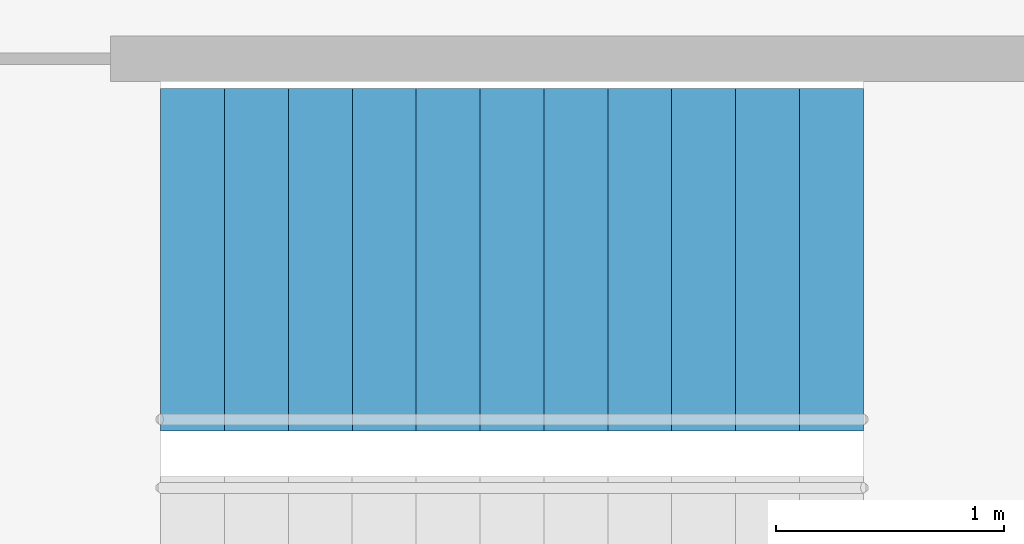
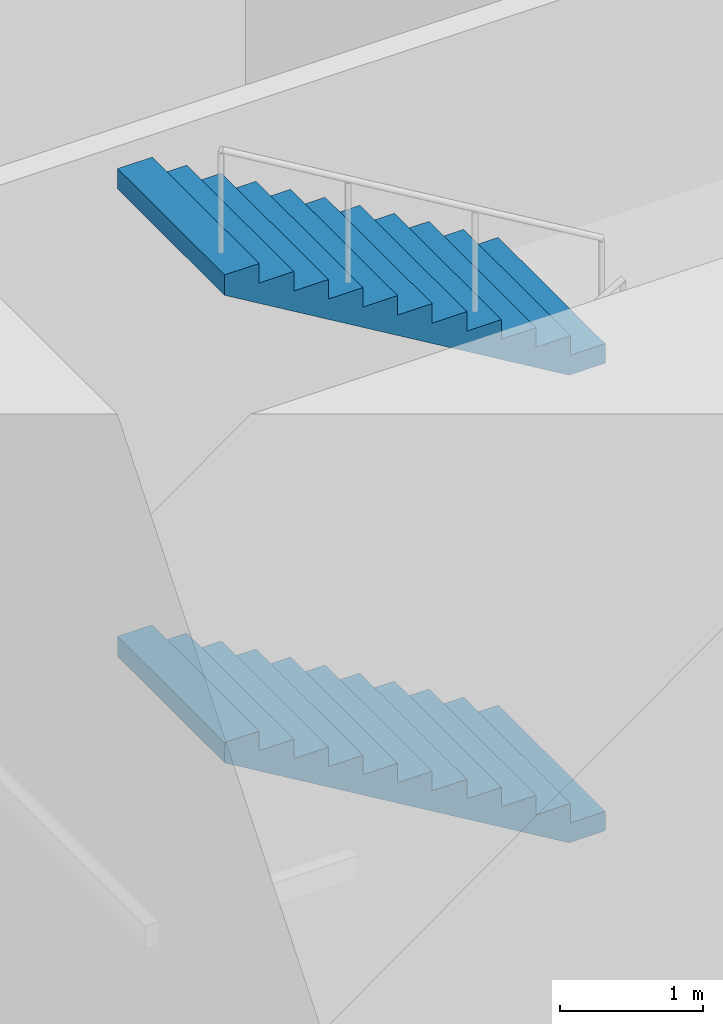
# One storey, part 31 of 74: 2 stair flights, 1 element without a shape of its own.
"""IFC4 building model written with IfcOpenShell, lengths in metres."""

from ifc_helpers import new_model, si_unit, direction, frame, origin, place, context, subcontext, project, spatial, triangles, material, type_object, element, aggregate, save


model = new_model("IFC4")

# Units and contexts
model_context = context("Model", 3, precision=1e-05, world=origin(), true_north=direction((0.0, 1.0)))
body_context = subcontext(model_context, "Body", "Model", "MODEL_VIEW")
ifc_project = project(units=[si_unit("LENGTHUNIT", "METRE"), si_unit("AREAUNIT", "SQUARE_METRE"), si_unit("VOLUMEUNIT", "CUBIC_METRE"), si_unit("PLANEANGLEUNIT", "RADIAN"), si_unit("MASSUNIT", "GRAM", prefix="KILO")], contexts=[model_context])

# Site, building, storey
site_placement = place(None, origin())
site = spatial("IfcSite", under=ifc_project, at=site_placement, CompositionType="ELEMENT")
building_placement = place(site_placement, origin())
building = spatial("IfcBuilding", under=site, at=building_placement, Name="Lantaw Convention Tower", CompositionType="ELEMENT")
storey_placement = place(building_placement, frame((0.0, 0.0, 6.5)))
storey = spatial("IfcBuildingStorey", under=building, at=storey_placement, Name="L01", CompositionType="ELEMENT", Elevation=6.5)

# Stair, stair flights
ifc_material = material(Name="Concrete C35/45", Category="concrete")
stair_type = type_object("IfcStairType", Name="Exit stair 1500 riser 166.67 in 4 flights", PredefinedType="HALF_TURN_STAIR", material=ifc_material)
stair_placement = place(storey_placement, origin())
stair = element("IfcStair", 1, at=stair_placement, inside=storey, type_object=stair_type, Name="Exit stair S1 L01", PredefinedType="HALF_TURN_STAIR")
stair_flight_type = type_object("IfcStairFlightType", Name="Stair flight 1500 riser 166.67", PredefinedType="STRAIGHT", material=ifc_material)
stair_flight_1_placement = place(storey_placement, frame((-7.5, -4.280029296875, 2.0), z_axis=(0.0, 0.0, 1.0), x_axis=(-1.0, 0.0, 0.0)))
stair_flight_1 = element("IfcStairFlight", 2, at=stair_flight_1_placement, type_object=stair_flight_type, Name="S1 flight 2", NumberOfRisers=12, NumberOfTreads=11, PredefinedType="STRAIGHT", RiserHeight=0.166666667, TreadLength=0.28, context=body_context, shape_type="Tessellation", body=[
    triangles([(0.0, 0.75, 0.0), (0.0, 0.75, 0.166666667), (0.28, 0.75, 0.0), (0.28, 0.75, 0.166666667), (0.28, 0.75, 0.333333334), (0.29307345806906726, 0.75, 0.0), (0.29307345806906726, 0.75, 0.333333334), (0.56, 0.75, 0.15888484670522965), (0.56, 0.75, 0.333333334), (0.56, 0.75, 0.500000001), (0.8400000000000001, 0.75, 0.3255515137052296), (0.8400000000000001, 0.75, 0.500000001), (0.8400000000000001, 0.75, 0.666666668), (1.12, 0.75, 0.4922181807052296), (1.12, 0.75, 0.666666668), (1.12, 0.75, 0.833333335), (1.4000000000000001, 0.75, 0.6588848477052296), (1.4000000000000001, 0.75, 0.833333335), (1.4000000000000001, 0.75, 1.000000002), (1.6800000000000002, 0.75, 0.8255515147052296), (1.6800000000000002, 0.75, 1.000000002), (1.6800000000000002, 0.75, 1.166666669), (1.9600000000000002, 0.75, 0.9922181817052296), (1.9600000000000002, 0.75, 1.166666669), (1.9600000000000002, 0.75, 1.333333336), (2.24, 0.75, 1.1588848487052295), (2.24, 0.75, 1.333333336), (2.24, 0.75, 1.5000000029999998), (2.5200000000000005, 0.75, 1.3255515157052296), (2.5200000000000005, 0.75, 1.5000000029999998), (2.5200000000000005, 0.75, 1.66666667), (2.8000000000000003, 0.75, 1.4922181827052294), (2.8000000000000003, 0.75, 1.66666667), (2.8000000000000003, 0.75, 1.833333337), (3.08, 0.75, 1.6588848497052293), (3.08, 0.75, 1.833333337), (0.0, -0.75, 0.0), (0.0, -0.75, 0.166666667), (0.28, -0.75, 0.0), (0.28, -0.75, 0.166666667), (0.28, -0.75, 0.333333334), (0.29307345806906726, -0.75, 0.0), (0.29307345806906726, -0.75, 0.333333334), (0.56, -0.75, 0.15888484670522965), (0.56, -0.75, 0.333333334), (0.56, -0.75, 0.500000001), (0.8400000000000001, -0.75, 0.3255515137052296), (0.8400000000000001, -0.75, 0.500000001), (0.8400000000000001, -0.75, 0.666666668), (1.12, -0.75, 0.4922181807052296), (1.12, -0.75, 0.666666668), (1.12, -0.75, 0.833333335), (1.4000000000000001, -0.75, 0.6588848477052296), (1.4000000000000001, -0.75, 0.833333335), (1.4000000000000001, -0.75, 1.000000002), (1.6800000000000002, -0.75, 0.8255515147052296), (1.6800000000000002, -0.75, 1.000000002), (1.6800000000000002, -0.75, 1.166666669), (1.9600000000000002, -0.75, 0.9922181817052296), (1.9600000000000002, -0.75, 1.166666669), (1.9600000000000002, -0.75, 1.333333336), (2.24, -0.75, 1.1588848487052295), (2.24, -0.75, 1.333333336), (2.24, -0.75, 1.5000000029999998), (2.5200000000000005, -0.75, 1.3255515157052296), (2.5200000000000005, -0.75, 1.5000000029999998), (2.5200000000000005, -0.75, 1.66666667), (2.8000000000000003, -0.75, 1.4922181827052294), (2.8000000000000003, -0.75, 1.66666667), (2.8000000000000003, -0.75, 1.833333337), (3.08, -0.75, 1.6588848497052293), (3.08, -0.75, 1.833333337), (0.0, 0.15000000000000002, 0.166666667), (0.0, 0.15000000000000002, 0.0), (0.0, 0.0, 0.166666667), (0.0, 0.0, 0.0), (0.0, -0.15000000000000002, 0.166666667), (0.0, -0.15000000000000002, 0.0), (0.28, 0.15000000000000002, 0.333333334), (0.28, 0.15000000000000002, 0.166666667), (0.28, 0.0, 0.333333334), (0.28, 0.0, 0.166666667), (0.28, -0.15000000000000002, 0.333333334), (0.28, -0.15000000000000002, 0.166666667), (0.56, 0.15000000000000002, 0.500000001), (0.56, 0.15000000000000002, 0.333333334), (0.56, 0.0, 0.500000001), (0.56, 0.0, 0.333333334), (0.56, -0.15000000000000002, 0.500000001), (0.56, -0.15000000000000002, 0.333333334), (0.8400000000000001, 0.15000000000000002, 0.666666668), (0.8400000000000001, 0.15000000000000002, 0.500000001), (0.8400000000000001, 0.0, 0.666666668), (0.8400000000000001, 0.0, 0.500000001), (0.8400000000000001, -0.15000000000000002, 0.666666668), (0.8400000000000001, -0.15000000000000002, 0.500000001), (1.12, 0.15000000000000002, 0.833333335), (1.12, 0.15000000000000002, 0.666666668), (1.12, 0.0, 0.833333335), (1.12, 0.0, 0.666666668), (1.12, -0.15000000000000002, 0.833333335), (1.12, -0.15000000000000002, 0.666666668), (1.4000000000000001, 0.15000000000000002, 1.000000002), (1.4000000000000001, 0.15000000000000002, 0.833333335), (1.4000000000000001, 0.0, 1.000000002), (1.4000000000000001, 0.0, 0.833333335), (1.4000000000000001, -0.15000000000000002, 1.000000002), (1.4000000000000001, -0.15000000000000002, 0.833333335), (1.6800000000000002, 0.15000000000000002, 1.166666669), (1.6800000000000002, 0.15000000000000002, 1.000000002), (1.6800000000000002, 0.0, 1.166666669), (1.6800000000000002, 0.0, 1.000000002), (1.6800000000000002, -0.15000000000000002, 1.166666669), (1.6800000000000002, -0.15000000000000002, 1.000000002), (1.9600000000000002, 0.15000000000000002, 1.333333336), (1.9600000000000002, 0.15000000000000002, 1.166666669), (1.9600000000000002, 0.0, 1.333333336), (1.9600000000000002, 0.0, 1.166666669), (1.9600000000000002, -0.15000000000000002, 1.333333336), (1.9600000000000002, -0.15000000000000002, 1.166666669), (2.24, 0.15000000000000002, 1.5000000029999998), (2.24, 0.15000000000000002, 1.333333336), (2.24, 0.0, 1.5000000029999998), (2.24, 0.0, 1.333333336), (2.24, -0.15000000000000002, 1.5000000029999998), (2.24, -0.15000000000000002, 1.333333336), (2.5200000000000005, 0.15000000000000002, 1.66666667), (2.5200000000000005, 0.15000000000000002, 1.5000000029999998), (2.5200000000000005, 0.0, 1.66666667), (2.5200000000000005, 0.0, 1.5000000029999998), (2.5200000000000005, -0.15000000000000002, 1.66666667), (2.5200000000000005, -0.15000000000000002, 1.5000000029999998), (2.8000000000000003, 0.15000000000000002, 1.833333337), (2.8000000000000003, 0.15000000000000002, 1.66666667), (2.8000000000000003, 0.0, 1.833333337), (2.8000000000000003, 0.0, 1.66666667), (2.8000000000000003, -0.15000000000000002, 1.833333337), (2.8000000000000003, -0.15000000000000002, 1.66666667), (0.29307345806906726, 0.15000000000000002, 0.333333334), (0.29307345806906726, 0.0, 0.333333334), (0.29307345806906726, -0.15000000000000002, 0.333333334), (3.08, 0.15000000000000002, 1.833333337), (3.08, 0.0, 1.833333337), (3.08, -0.15000000000000002, 1.833333337), (3.08, 0.15000000000000002, 1.6588848497052293), (3.08, 0.0, 1.6588848497052293), (3.08, -0.15000000000000002, 1.6588848497052293), (2.8000000000000003, 0.15000000000000002, 1.4922181827052294), (2.8000000000000003, 0.0, 1.4922181827052294), (2.8000000000000003, -0.15000000000000002, 1.4922181827052294), (2.5200000000000005, 0.15000000000000002, 1.3255515157052296), (2.5200000000000005, 0.0, 1.3255515157052296), (2.5200000000000005, -0.15000000000000002, 1.3255515157052296), (2.24, 0.15000000000000002, 1.1588848487052295), (2.24, 0.0, 1.1588848487052295), (2.24, -0.15000000000000002, 1.1588848487052295), (1.9600000000000002, 0.15000000000000002, 0.9922181817052296), (1.9600000000000002, 0.0, 0.9922181817052296), (1.9600000000000002, -0.15000000000000002, 0.9922181817052296), (1.6800000000000002, 0.15000000000000002, 0.8255515147052296), (1.6800000000000002, 0.0, 0.8255515147052296), (1.6800000000000002, -0.15000000000000002, 0.8255515147052296), (1.4000000000000001, 0.15000000000000002, 0.6588848477052296), (1.4000000000000001, 0.0, 0.6588848477052296), (1.4000000000000001, -0.15000000000000002, 0.6588848477052296), (1.12, 0.15000000000000002, 0.4922181807052296), (1.12, 0.0, 0.4922181807052296), (1.12, -0.15000000000000002, 0.4922181807052296), (0.8400000000000001, 0.15000000000000002, 0.3255515137052296), (0.8400000000000001, 0.0, 0.3255515137052296), (0.8400000000000001, -0.15000000000000002, 0.3255515137052296), (0.56, 0.15000000000000002, 0.15888484670522965), (0.56, 0.0, 0.15888484670522965), (0.56, -0.15000000000000002, 0.15888484670522965), (0.29307345806906726, 0.15000000000000002, 0.0), (0.29307345806906726, 0.0, 0.0), (0.29307345806906726, -0.15000000000000002, 0.0), (0.28, 0.15000000000000002, 0.0), (0.28, 0.0, 0.0), (0.28, -0.15000000000000002, 0.0)], [[1, 4, 3], [1, 2, 4], [3, 4, 6], [4, 7, 6], [4, 5, 7], [6, 9, 8], [6, 7, 9], [8, 9, 11], [9, 12, 11], [9, 10, 12], [11, 12, 14], [12, 15, 14], [12, 13, 15], [14, 15, 17], [15, 18, 17], [15, 16, 18], [17, 18, 20], [18, 21, 20], [18, 19, 21], [20, 21, 23], [21, 24, 23], [21, 22, 24], [23, 24, 26], [24, 27, 26], [24, 25, 27], [26, 27, 29], [27, 30, 29], [27, 28, 30], [29, 30, 32], [30, 33, 32], [30, 31, 33], [32, 33, 35], [33, 36, 35], [33, 34, 36], [37, 39, 40], [37, 40, 38], [39, 42, 40], [40, 42, 43], [40, 43, 41], [42, 44, 45], [42, 45, 43], [44, 47, 45], [45, 47, 48], [45, 48, 46], [47, 50, 48], [48, 50, 51], [48, 51, 49], [50, 53, 51], [51, 53, 54], [51, 54, 52], [53, 56, 54], [54, 56, 57], [54, 57, 55], [56, 59, 57], [57, 59, 60], [57, 60, 58], [59, 62, 60], [60, 62, 63], [60, 63, 61], [62, 65, 63], [63, 65, 66], [63, 66, 64], [65, 68, 66], [66, 68, 69], [66, 69, 67], [68, 71, 69], [69, 71, 72], [69, 72, 70], [1, 73, 2], [1, 74, 73], [74, 75, 73], [74, 76, 75], [76, 77, 75], [76, 78, 77], [78, 38, 77], [78, 37, 38], [4, 79, 5], [4, 80, 79], [80, 81, 79], [80, 82, 81], [82, 83, 81], [82, 84, 83], [84, 41, 83], [84, 40, 41], [9, 85, 10], [9, 86, 85], [86, 87, 85], [86, 88, 87], [88, 89, 87], [88, 90, 89], [90, 46, 89], [90, 45, 46], [12, 91, 13], [12, 92, 91], [92, 93, 91], [92, 94, 93], [94, 95, 93], [94, 96, 95], [96, 49, 95], [96, 48, 49], [15, 97, 16], [15, 98, 97], [98, 99, 97], [98, 100, 99], [100, 101, 99], [100, 102, 101], [102, 52, 101], [102, 51, 52], [18, 103, 19], [18, 104, 103], [104, 105, 103], [104, 106, 105], [106, 107, 105], [106, 108, 107], [108, 55, 107], [108, 54, 55], [21, 109, 22], [21, 110, 109], [110, 111, 109], [110, 112, 111], [112, 113, 111], [112, 114, 113], [114, 58, 113], [114, 57, 58], [24, 115, 25], [24, 116, 115], [116, 117, 115], [116, 118, 117], [118, 119, 117], [118, 120, 119], [120, 61, 119], [120, 60, 61], [27, 121, 28], [27, 122, 121], [122, 123, 121], [122, 124, 123], [124, 125, 123], [124, 126, 125], [126, 64, 125], [126, 63, 64], [30, 127, 31], [30, 128, 127], [128, 129, 127], [128, 130, 129], [130, 131, 129], [130, 132, 131], [132, 67, 131], [132, 66, 67], [33, 133, 34], [33, 134, 133], [134, 135, 133], [134, 136, 135], [136, 137, 135], [136, 138, 137], [138, 70, 137], [138, 69, 70], [2, 80, 4], [2, 73, 80], [73, 82, 80], [73, 75, 82], [75, 84, 82], [75, 77, 84], [77, 40, 84], [77, 38, 40], [5, 139, 7], [5, 79, 139], [79, 140, 139], [79, 81, 140], [81, 141, 140], [81, 83, 141], [83, 43, 141], [83, 41, 43], [7, 86, 9], [7, 139, 86], [139, 88, 86], [139, 140, 88], [140, 90, 88], [140, 141, 90], [141, 45, 90], [141, 43, 45], [10, 92, 12], [10, 85, 92], [85, 94, 92], [85, 87, 94], [87, 96, 94], [87, 89, 96], [89, 48, 96], [89, 46, 48], [13, 98, 15], [13, 91, 98], [91, 100, 98], [91, 93, 100], [93, 102, 100], [93, 95, 102], [95, 51, 102], [95, 49, 51], [16, 104, 18], [16, 97, 104], [97, 106, 104], [97, 99, 106], [99, 108, 106], [99, 101, 108], [101, 54, 108], [101, 52, 54], [19, 110, 21], [19, 103, 110], [103, 112, 110], [103, 105, 112], [105, 114, 112], [105, 107, 114], [107, 57, 114], [107, 55, 57], [22, 116, 24], [22, 109, 116], [109, 118, 116], [109, 111, 118], [111, 120, 118], [111, 113, 120], [113, 60, 120], [113, 58, 60], [25, 122, 27], [25, 115, 122], [115, 124, 122], [115, 117, 124], [117, 126, 124], [117, 119, 126], [119, 63, 126], [119, 61, 63], [28, 128, 30], [28, 121, 128], [121, 130, 128], [121, 123, 130], [123, 132, 130], [123, 125, 132], [125, 66, 132], [125, 64, 66], [31, 134, 33], [31, 127, 134], [127, 136, 134], [127, 129, 136], [129, 138, 136], [129, 131, 138], [131, 69, 138], [131, 67, 69], [34, 142, 36], [34, 133, 142], [133, 143, 142], [133, 135, 143], [135, 144, 143], [135, 137, 144], [137, 72, 144], [137, 70, 72], [36, 145, 35], [36, 142, 145], [142, 146, 145], [142, 143, 146], [143, 147, 146], [143, 144, 147], [144, 71, 147], [144, 72, 71], [35, 148, 32], [35, 145, 148], [145, 149, 148], [145, 146, 149], [146, 150, 149], [146, 147, 150], [147, 68, 150], [147, 71, 68], [32, 151, 29], [32, 148, 151], [148, 152, 151], [148, 149, 152], [149, 153, 152], [149, 150, 153], [150, 65, 153], [150, 68, 65], [29, 154, 26], [29, 151, 154], [151, 155, 154], [151, 152, 155], [152, 156, 155], [152, 153, 156], [153, 62, 156], [153, 65, 62], [26, 157, 23], [26, 154, 157], [154, 158, 157], [154, 155, 158], [155, 159, 158], [155, 156, 159], [156, 59, 159], [156, 62, 59], [23, 160, 20], [23, 157, 160], [157, 161, 160], [157, 158, 161], [158, 162, 161], [158, 159, 162], [159, 56, 162], [159, 59, 56], [20, 163, 17], [20, 160, 163], [160, 164, 163], [160, 161, 164], [161, 165, 164], [161, 162, 165], [162, 53, 165], [162, 56, 53], [17, 166, 14], [17, 163, 166], [163, 167, 166], [163, 164, 167], [164, 168, 167], [164, 165, 168], [165, 50, 168], [165, 53, 50], [14, 169, 11], [14, 166, 169], [166, 170, 169], [166, 167, 170], [167, 171, 170], [167, 168, 171], [168, 47, 171], [168, 50, 47], [11, 172, 8], [11, 169, 172], [169, 173, 172], [169, 170, 173], [170, 174, 173], [170, 171, 174], [171, 44, 174], [171, 47, 44], [8, 175, 6], [8, 172, 175], [172, 176, 175], [172, 173, 176], [173, 177, 176], [173, 174, 177], [174, 42, 177], [174, 44, 42], [6, 178, 3], [6, 175, 178], [175, 179, 178], [175, 176, 179], [176, 180, 179], [176, 177, 180], [177, 39, 180], [177, 42, 39], [3, 74, 1], [3, 178, 74], [178, 76, 74], [178, 179, 76], [179, 78, 76], [179, 180, 78], [180, 37, 78], [180, 39, 37]], closed=True),
])
stair_flight_2_placement = place(storey_placement, frame((-7.5, -4.280029296875, 6.0), z_axis=(0.0, 0.0, 1.0), x_axis=(-1.0, 0.0, 0.0)))
stair_flight_2 = element("IfcStairFlight", 3, at=stair_flight_2_placement, type_object=stair_flight_type, Name="S1 flight 4", NumberOfRisers=12, NumberOfTreads=11, PredefinedType="STRAIGHT", RiserHeight=0.166666667, TreadLength=0.28, context=body_context, shape_type="Tessellation", body=[
    triangles([(0.0, 0.75, 0.0), (0.0, 0.75, 0.166666667), (0.28, 0.75, 0.0), (0.28, 0.75, 0.166666667), (0.28, 0.75, 0.333333334), (0.29307345806906726, 0.75, 0.0), (0.29307345806906726, 0.75, 0.333333334), (0.56, 0.75, 0.15888484670522965), (0.56, 0.75, 0.333333334), (0.56, 0.75, 0.500000001), (0.8400000000000001, 0.75, 0.3255515137052296), (0.8400000000000001, 0.75, 0.500000001), (0.8400000000000001, 0.75, 0.666666668), (1.12, 0.75, 0.4922181807052296), (1.12, 0.75, 0.666666668), (1.12, 0.75, 0.833333335), (1.4000000000000001, 0.75, 0.6588848477052296), (1.4000000000000001, 0.75, 0.833333335), (1.4000000000000001, 0.75, 1.000000002), (1.6800000000000002, 0.75, 0.8255515147052296), (1.6800000000000002, 0.75, 1.000000002), (1.6800000000000002, 0.75, 1.166666669), (1.9600000000000002, 0.75, 0.9922181817052296), (1.9600000000000002, 0.75, 1.166666669), (1.9600000000000002, 0.75, 1.333333336), (2.24, 0.75, 1.1588848487052295), (2.24, 0.75, 1.333333336), (2.24, 0.75, 1.5000000029999998), (2.5200000000000005, 0.75, 1.3255515157052296), (2.5200000000000005, 0.75, 1.5000000029999998), (2.5200000000000005, 0.75, 1.66666667), (2.8000000000000003, 0.75, 1.4922181827052294), (2.8000000000000003, 0.75, 1.66666667), (2.8000000000000003, 0.75, 1.833333337), (3.08, 0.75, 1.6588848497052293), (3.08, 0.75, 1.833333337), (0.0, -0.75, 0.0), (0.0, -0.75, 0.166666667), (0.28, -0.75, 0.0), (0.28, -0.75, 0.166666667), (0.28, -0.75, 0.333333334), (0.29307345806906726, -0.75, 0.0), (0.29307345806906726, -0.75, 0.333333334), (0.56, -0.75, 0.15888484670522965), (0.56, -0.75, 0.333333334), (0.56, -0.75, 0.500000001), (0.8400000000000001, -0.75, 0.3255515137052296), (0.8400000000000001, -0.75, 0.500000001), (0.8400000000000001, -0.75, 0.666666668), (1.12, -0.75, 0.4922181807052296), (1.12, -0.75, 0.666666668), (1.12, -0.75, 0.833333335), (1.4000000000000001, -0.75, 0.6588848477052296), (1.4000000000000001, -0.75, 0.833333335), (1.4000000000000001, -0.75, 1.000000002), (1.6800000000000002, -0.75, 0.8255515147052296), (1.6800000000000002, -0.75, 1.000000002), (1.6800000000000002, -0.75, 1.166666669), (1.9600000000000002, -0.75, 0.9922181817052296), (1.9600000000000002, -0.75, 1.166666669), (1.9600000000000002, -0.75, 1.333333336), (2.24, -0.75, 1.1588848487052295), (2.24, -0.75, 1.333333336), (2.24, -0.75, 1.5000000029999998), (2.5200000000000005, -0.75, 1.3255515157052296), (2.5200000000000005, -0.75, 1.5000000029999998), (2.5200000000000005, -0.75, 1.66666667), (2.8000000000000003, -0.75, 1.4922181827052294), (2.8000000000000003, -0.75, 1.66666667), (2.8000000000000003, -0.75, 1.833333337), (3.08, -0.75, 1.6588848497052293), (3.08, -0.75, 1.833333337), (0.0, 0.15000000000000002, 0.166666667), (0.0, 0.15000000000000002, 0.0), (0.0, 0.0, 0.166666667), (0.0, 0.0, 0.0), (0.0, -0.15000000000000002, 0.166666667), (0.0, -0.15000000000000002, 0.0), (0.28, 0.15000000000000002, 0.333333334), (0.28, 0.15000000000000002, 0.166666667), (0.28, 0.0, 0.333333334), (0.28, 0.0, 0.166666667), (0.28, -0.15000000000000002, 0.333333334), (0.28, -0.15000000000000002, 0.166666667), (0.56, 0.15000000000000002, 0.500000001), (0.56, 0.15000000000000002, 0.333333334), (0.56, 0.0, 0.500000001), (0.56, 0.0, 0.333333334), (0.56, -0.15000000000000002, 0.500000001), (0.56, -0.15000000000000002, 0.333333334), (0.8400000000000001, 0.15000000000000002, 0.666666668), (0.8400000000000001, 0.15000000000000002, 0.500000001), (0.8400000000000001, 0.0, 0.666666668), (0.8400000000000001, 0.0, 0.500000001), (0.8400000000000001, -0.15000000000000002, 0.666666668), (0.8400000000000001, -0.15000000000000002, 0.500000001), (1.12, 0.15000000000000002, 0.833333335), (1.12, 0.15000000000000002, 0.666666668), (1.12, 0.0, 0.833333335), (1.12, 0.0, 0.666666668), (1.12, -0.15000000000000002, 0.833333335), (1.12, -0.15000000000000002, 0.666666668), (1.4000000000000001, 0.15000000000000002, 1.000000002), (1.4000000000000001, 0.15000000000000002, 0.833333335), (1.4000000000000001, 0.0, 1.000000002), (1.4000000000000001, 0.0, 0.833333335), (1.4000000000000001, -0.15000000000000002, 1.000000002), (1.4000000000000001, -0.15000000000000002, 0.833333335), (1.6800000000000002, 0.15000000000000002, 1.166666669), (1.6800000000000002, 0.15000000000000002, 1.000000002), (1.6800000000000002, 0.0, 1.166666669), (1.6800000000000002, 0.0, 1.000000002), (1.6800000000000002, -0.15000000000000002, 1.166666669), (1.6800000000000002, -0.15000000000000002, 1.000000002), (1.9600000000000002, 0.15000000000000002, 1.333333336), (1.9600000000000002, 0.15000000000000002, 1.166666669), (1.9600000000000002, 0.0, 1.333333336), (1.9600000000000002, 0.0, 1.166666669), (1.9600000000000002, -0.15000000000000002, 1.333333336), (1.9600000000000002, -0.15000000000000002, 1.166666669), (2.24, 0.15000000000000002, 1.5000000029999998), (2.24, 0.15000000000000002, 1.333333336), (2.24, 0.0, 1.5000000029999998), (2.24, 0.0, 1.333333336), (2.24, -0.15000000000000002, 1.5000000029999998), (2.24, -0.15000000000000002, 1.333333336), (2.5200000000000005, 0.15000000000000002, 1.66666667), (2.5200000000000005, 0.15000000000000002, 1.5000000029999998), (2.5200000000000005, 0.0, 1.66666667), (2.5200000000000005, 0.0, 1.5000000029999998), (2.5200000000000005, -0.15000000000000002, 1.66666667), (2.5200000000000005, -0.15000000000000002, 1.5000000029999998), (2.8000000000000003, 0.15000000000000002, 1.833333337), (2.8000000000000003, 0.15000000000000002, 1.66666667), (2.8000000000000003, 0.0, 1.833333337), (2.8000000000000003, 0.0, 1.66666667), (2.8000000000000003, -0.15000000000000002, 1.833333337), (2.8000000000000003, -0.15000000000000002, 1.66666667), (0.29307345806906726, 0.15000000000000002, 0.333333334), (0.29307345806906726, 0.0, 0.333333334), (0.29307345806906726, -0.15000000000000002, 0.333333334), (3.08, 0.15000000000000002, 1.833333337), (3.08, 0.0, 1.833333337), (3.08, -0.15000000000000002, 1.833333337), (3.08, 0.15000000000000002, 1.6588848497052293), (3.08, 0.0, 1.6588848497052293), (3.08, -0.15000000000000002, 1.6588848497052293), (2.8000000000000003, 0.15000000000000002, 1.4922181827052294), (2.8000000000000003, 0.0, 1.4922181827052294), (2.8000000000000003, -0.15000000000000002, 1.4922181827052294), (2.5200000000000005, 0.15000000000000002, 1.3255515157052296), (2.5200000000000005, 0.0, 1.3255515157052296), (2.5200000000000005, -0.15000000000000002, 1.3255515157052296), (2.24, 0.15000000000000002, 1.1588848487052295), (2.24, 0.0, 1.1588848487052295), (2.24, -0.15000000000000002, 1.1588848487052295), (1.9600000000000002, 0.15000000000000002, 0.9922181817052296), (1.9600000000000002, 0.0, 0.9922181817052296), (1.9600000000000002, -0.15000000000000002, 0.9922181817052296), (1.6800000000000002, 0.15000000000000002, 0.8255515147052296), (1.6800000000000002, 0.0, 0.8255515147052296), (1.6800000000000002, -0.15000000000000002, 0.8255515147052296), (1.4000000000000001, 0.15000000000000002, 0.6588848477052296), (1.4000000000000001, 0.0, 0.6588848477052296), (1.4000000000000001, -0.15000000000000002, 0.6588848477052296), (1.12, 0.15000000000000002, 0.4922181807052296), (1.12, 0.0, 0.4922181807052296), (1.12, -0.15000000000000002, 0.4922181807052296), (0.8400000000000001, 0.15000000000000002, 0.3255515137052296), (0.8400000000000001, 0.0, 0.3255515137052296), (0.8400000000000001, -0.15000000000000002, 0.3255515137052296), (0.56, 0.15000000000000002, 0.15888484670522965), (0.56, 0.0, 0.15888484670522965), (0.56, -0.15000000000000002, 0.15888484670522965), (0.29307345806906726, 0.15000000000000002, 0.0), (0.29307345806906726, 0.0, 0.0), (0.29307345806906726, -0.15000000000000002, 0.0), (0.28, 0.15000000000000002, 0.0), (0.28, 0.0, 0.0), (0.28, -0.15000000000000002, 0.0)], [[1, 4, 3], [1, 2, 4], [3, 4, 6], [4, 7, 6], [4, 5, 7], [6, 9, 8], [6, 7, 9], [8, 9, 11], [9, 12, 11], [9, 10, 12], [11, 12, 14], [12, 15, 14], [12, 13, 15], [14, 15, 17], [15, 18, 17], [15, 16, 18], [17, 18, 20], [18, 21, 20], [18, 19, 21], [20, 21, 23], [21, 24, 23], [21, 22, 24], [23, 24, 26], [24, 27, 26], [24, 25, 27], [26, 27, 29], [27, 30, 29], [27, 28, 30], [29, 30, 32], [30, 33, 32], [30, 31, 33], [32, 33, 35], [33, 36, 35], [33, 34, 36], [37, 39, 40], [37, 40, 38], [39, 42, 40], [40, 42, 43], [40, 43, 41], [42, 44, 45], [42, 45, 43], [44, 47, 45], [45, 47, 48], [45, 48, 46], [47, 50, 48], [48, 50, 51], [48, 51, 49], [50, 53, 51], [51, 53, 54], [51, 54, 52], [53, 56, 54], [54, 56, 57], [54, 57, 55], [56, 59, 57], [57, 59, 60], [57, 60, 58], [59, 62, 60], [60, 62, 63], [60, 63, 61], [62, 65, 63], [63, 65, 66], [63, 66, 64], [65, 68, 66], [66, 68, 69], [66, 69, 67], [68, 71, 69], [69, 71, 72], [69, 72, 70], [1, 73, 2], [1, 74, 73], [74, 75, 73], [74, 76, 75], [76, 77, 75], [76, 78, 77], [78, 38, 77], [78, 37, 38], [4, 79, 5], [4, 80, 79], [80, 81, 79], [80, 82, 81], [82, 83, 81], [82, 84, 83], [84, 41, 83], [84, 40, 41], [9, 85, 10], [9, 86, 85], [86, 87, 85], [86, 88, 87], [88, 89, 87], [88, 90, 89], [90, 46, 89], [90, 45, 46], [12, 91, 13], [12, 92, 91], [92, 93, 91], [92, 94, 93], [94, 95, 93], [94, 96, 95], [96, 49, 95], [96, 48, 49], [15, 97, 16], [15, 98, 97], [98, 99, 97], [98, 100, 99], [100, 101, 99], [100, 102, 101], [102, 52, 101], [102, 51, 52], [18, 103, 19], [18, 104, 103], [104, 105, 103], [104, 106, 105], [106, 107, 105], [106, 108, 107], [108, 55, 107], [108, 54, 55], [21, 109, 22], [21, 110, 109], [110, 111, 109], [110, 112, 111], [112, 113, 111], [112, 114, 113], [114, 58, 113], [114, 57, 58], [24, 115, 25], [24, 116, 115], [116, 117, 115], [116, 118, 117], [118, 119, 117], [118, 120, 119], [120, 61, 119], [120, 60, 61], [27, 121, 28], [27, 122, 121], [122, 123, 121], [122, 124, 123], [124, 125, 123], [124, 126, 125], [126, 64, 125], [126, 63, 64], [30, 127, 31], [30, 128, 127], [128, 129, 127], [128, 130, 129], [130, 131, 129], [130, 132, 131], [132, 67, 131], [132, 66, 67], [33, 133, 34], [33, 134, 133], [134, 135, 133], [134, 136, 135], [136, 137, 135], [136, 138, 137], [138, 70, 137], [138, 69, 70], [2, 80, 4], [2, 73, 80], [73, 82, 80], [73, 75, 82], [75, 84, 82], [75, 77, 84], [77, 40, 84], [77, 38, 40], [5, 139, 7], [5, 79, 139], [79, 140, 139], [79, 81, 140], [81, 141, 140], [81, 83, 141], [83, 43, 141], [83, 41, 43], [7, 86, 9], [7, 139, 86], [139, 88, 86], [139, 140, 88], [140, 90, 88], [140, 141, 90], [141, 45, 90], [141, 43, 45], [10, 92, 12], [10, 85, 92], [85, 94, 92], [85, 87, 94], [87, 96, 94], [87, 89, 96], [89, 48, 96], [89, 46, 48], [13, 98, 15], [13, 91, 98], [91, 100, 98], [91, 93, 100], [93, 102, 100], [93, 95, 102], [95, 51, 102], [95, 49, 51], [16, 104, 18], [16, 97, 104], [97, 106, 104], [97, 99, 106], [99, 108, 106], [99, 101, 108], [101, 54, 108], [101, 52, 54], [19, 110, 21], [19, 103, 110], [103, 112, 110], [103, 105, 112], [105, 114, 112], [105, 107, 114], [107, 57, 114], [107, 55, 57], [22, 116, 24], [22, 109, 116], [109, 118, 116], [109, 111, 118], [111, 120, 118], [111, 113, 120], [113, 60, 120], [113, 58, 60], [25, 122, 27], [25, 115, 122], [115, 124, 122], [115, 117, 124], [117, 126, 124], [117, 119, 126], [119, 63, 126], [119, 61, 63], [28, 128, 30], [28, 121, 128], [121, 130, 128], [121, 123, 130], [123, 132, 130], [123, 125, 132], [125, 66, 132], [125, 64, 66], [31, 134, 33], [31, 127, 134], [127, 136, 134], [127, 129, 136], [129, 138, 136], [129, 131, 138], [131, 69, 138], [131, 67, 69], [34, 142, 36], [34, 133, 142], [133, 143, 142], [133, 135, 143], [135, 144, 143], [135, 137, 144], [137, 72, 144], [137, 70, 72], [36, 145, 35], [36, 142, 145], [142, 146, 145], [142, 143, 146], [143, 147, 146], [143, 144, 147], [144, 71, 147], [144, 72, 71], [35, 148, 32], [35, 145, 148], [145, 149, 148], [145, 146, 149], [146, 150, 149], [146, 147, 150], [147, 68, 150], [147, 71, 68], [32, 151, 29], [32, 148, 151], [148, 152, 151], [148, 149, 152], [149, 153, 152], [149, 150, 153], [150, 65, 153], [150, 68, 65], [29, 154, 26], [29, 151, 154], [151, 155, 154], [151, 152, 155], [152, 156, 155], [152, 153, 156], [153, 62, 156], [153, 65, 62], [26, 157, 23], [26, 154, 157], [154, 158, 157], [154, 155, 158], [155, 159, 158], [155, 156, 159], [156, 59, 159], [156, 62, 59], [23, 160, 20], [23, 157, 160], [157, 161, 160], [157, 158, 161], [158, 162, 161], [158, 159, 162], [159, 56, 162], [159, 59, 56], [20, 163, 17], [20, 160, 163], [160, 164, 163], [160, 161, 164], [161, 165, 164], [161, 162, 165], [162, 53, 165], [162, 56, 53], [17, 166, 14], [17, 163, 166], [163, 167, 166], [163, 164, 167], [164, 168, 167], [164, 165, 168], [165, 50, 168], [165, 53, 50], [14, 169, 11], [14, 166, 169], [166, 170, 169], [166, 167, 170], [167, 171, 170], [167, 168, 171], [168, 47, 171], [168, 50, 47], [11, 172, 8], [11, 169, 172], [169, 173, 172], [169, 170, 173], [170, 174, 173], [170, 171, 174], [171, 44, 174], [171, 47, 44], [8, 175, 6], [8, 172, 175], [172, 176, 175], [172, 173, 176], [173, 177, 176], [173, 174, 177], [174, 42, 177], [174, 44, 42], [6, 178, 3], [6, 175, 178], [175, 179, 178], [175, 176, 179], [176, 180, 179], [176, 177, 180], [177, 39, 180], [177, 42, 39], [3, 74, 1], [3, 178, 74], [178, 76, 74], [178, 179, 76], [179, 78, 76], [179, 180, 78], [180, 37, 78], [180, 39, 37]], closed=True),
])
aggregate(stair, [stair_flight_1, stair_flight_2])

save(model, "model.ifc")
